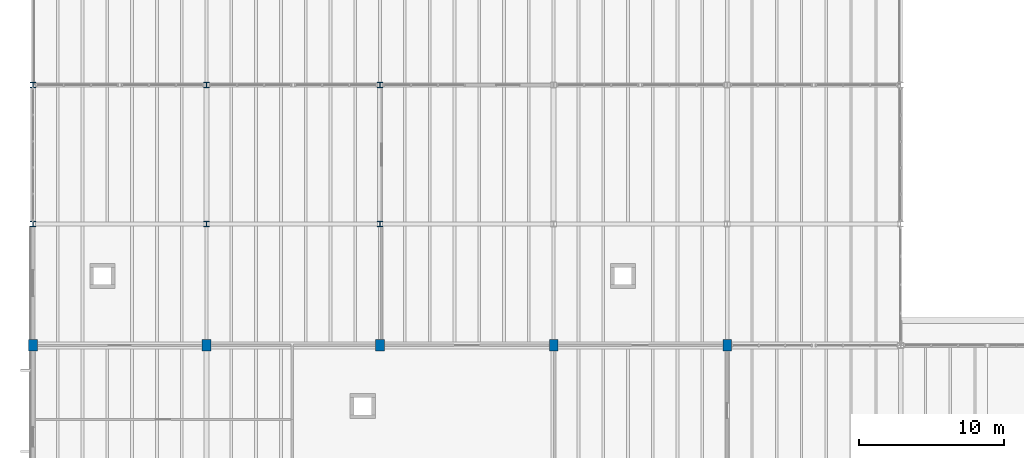
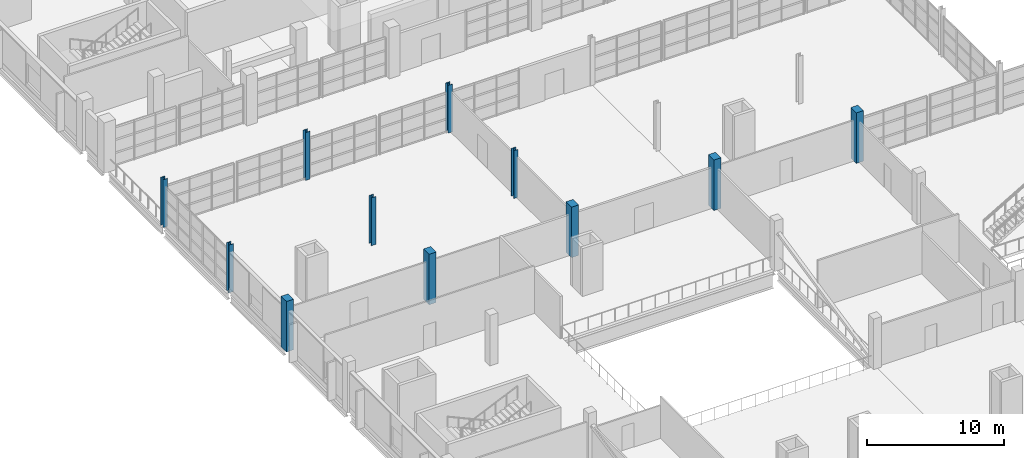
# One storey, part 3 of 114: 11 columns.
"""IFC4 building model written with IfcOpenShell, lengths in metres."""

from ifc_helpers import new_model, si_unit, direction, frame, origin, origin_2d, place, context, subcontext, project, spatial, rectangle, i_section, extrude, material, material_profile, profile_set, type_object, element, save


model = new_model("IFC4")

# Units and contexts
model_context = context("Model", 3, precision=1e-05, world=origin(), true_north=direction((0.0, 1.0)))
body_context = subcontext(model_context, "Body", "Model", "MODEL_VIEW")
ifc_project = project(units=[si_unit("LENGTHUNIT", "METRE"), si_unit("AREAUNIT", "SQUARE_METRE"), si_unit("VOLUMEUNIT", "CUBIC_METRE"), si_unit("PLANEANGLEUNIT", "RADIAN"), si_unit("MASSUNIT", "GRAM", prefix="KILO")], contexts=[model_context])

# Site, building, storey
site_placement = place(None, origin())
site = spatial("IfcSite", under=ifc_project, at=site_placement, CompositionType="ELEMENT")
building_placement = place(site_placement, origin())
building = spatial("IfcBuilding", under=site, at=building_placement, Name="Kelmvaro Bay Concert Hall", CompositionType="ELEMENT")
storey_placement = place(building_placement, frame((0.0, 0.0, 4.800048828125)))
storey = spatial("IfcBuildingStorey", under=building, at=storey_placement, Name="L01", CompositionType="ELEMENT", Elevation=4.800048828125)

# Columns
ifc_material_1 = material(Name="Steel ASTM A992 Grade 50", Category="steel")
ifc_material_profile_1 = material_profile(ifc_material_1, i_section(OverallWidth=0.373046875, OverallDepth=0.373046875, WebThickness=0.016357421875, FlangeThickness=0.026123046875, at=origin_2d()), Name="W14X132")
ifc_profile_set_1 = profile_set([ifc_material_profile_1], Name="Steel ASTM A992 Grade 50")
column_type_1 = type_object("IfcColumnType", Name="Concourse Link Column W14x132", PredefinedType="COLUMN", material=ifc_profile_set_1)
for number, where, z_axis, x_axis, name in (
    (1, (0.0, 47.39990234375, 0.0), (0.0, 0.0, 1.0), (1.0, 0.0, 0.0), "L01 Column V5W-0-474"),
    (2, (0.0, 57.0, 0.0), (0.0, 0.0, 1.0), (1.0, 0.0, 0.0), "L01 Column V5W-0-570"),
    (3, (12.0, 47.39990234375, 0.0), (0.0, 0.0, 1.0), (1.0, 0.0, 0.0), "L01 Column V5W-12-474"),
    (4, (12.0, 57.0, 0.0), (0.0, 0.0, 1.0), (1.0, 0.0, 0.0), "L01 Column V5W-12-570"),
    (5, (24.0, 47.39990234375, 0.0), (0.0, 0.0, 1.0), (1.0, 0.0, 0.0), "L01 Column V5W-24-474"),
    (6, (24.0, 57.0, 0.0), (0.0, 0.0, 1.0), (1.0, 0.0, 0.0), "L01 Column V5W-24-570"),
):
    element("IfcColumn", number, at=place(storey_placement, frame(where, z_axis=z_axis, x_axis=x_axis)), inside=storey, type_object=column_type_1, Name=name, PredefinedType="COLUMN", context=body_context, shape_type="SweptSolid", body=[
        extrude(i_section(OverallWidth=0.373046875, OverallDepth=0.373046875, WebThickness=0.016357421875, FlangeThickness=0.026123046875, at=origin_2d()), origin(), (0.0, 0.0, 1.0), 4.260009765625),
    ])
ifc_material_2 = material(Name="Concrete C40/50", Category="concrete")
ifc_material_profile_2 = material_profile(ifc_material_2, rectangle(XDim=0.60009765625, YDim=0.800048828125, at=origin_2d()), Name="RC-COL-800X600")
ifc_profile_set_2 = profile_set([ifc_material_profile_2], Name="Concrete C40/50")
column_type_2 = type_object("IfcColumnType", Name="Perimeter Column RC800x600", PredefinedType="COLUMN", material=ifc_profile_set_2)
for number, where, z_axis, x_axis, name in (
    (7, (0.0, 39.0, 0.0), (0.0, 0.0, 1.0), (1.0, 0.0, 0.0), "L01 Column V3P-0-390"),
    (8, (12.0, 39.0, 0.0), (0.0, 0.0, 1.0), (1.0, 0.0, 0.0), "L01 Column V3P-12-390"),
    (9, (24.0, 39.0, 0.0), (0.0, 0.0, 1.0), (1.0, 0.0, 0.0), "L01 Column V3P-24-390"),
    (10, (36.0, 39.0, 0.0), (0.0, 0.0, 1.0), (1.0, 0.0, 0.0), "L01 Column V3P-36-390"),
    (11, (48.0, 39.0, 0.0), (0.0, 0.0, 1.0), (1.0, 0.0, 0.0), "L01 Column V3P-48-390"),
):
    element("IfcColumn", number, at=place(storey_placement, frame(where, z_axis=z_axis, x_axis=x_axis)), inside=storey, type_object=column_type_2, Name=name, PredefinedType="COLUMN", context=body_context, shape_type="SweptSolid", body=[
        extrude(rectangle(XDim=0.60009765625, YDim=0.800048828125, at=origin_2d()), origin(), (0.0, 0.0, 1.0), 4.5),
    ])

save(model, "model.ifc")
